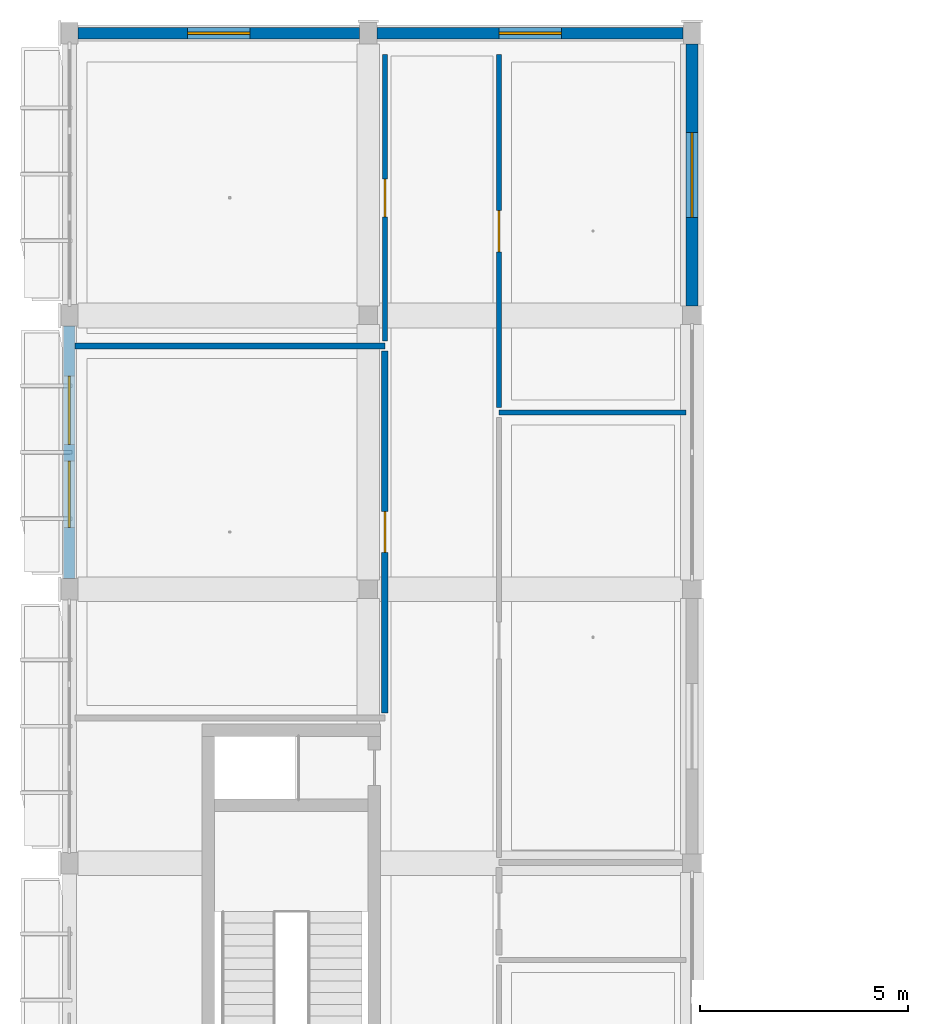
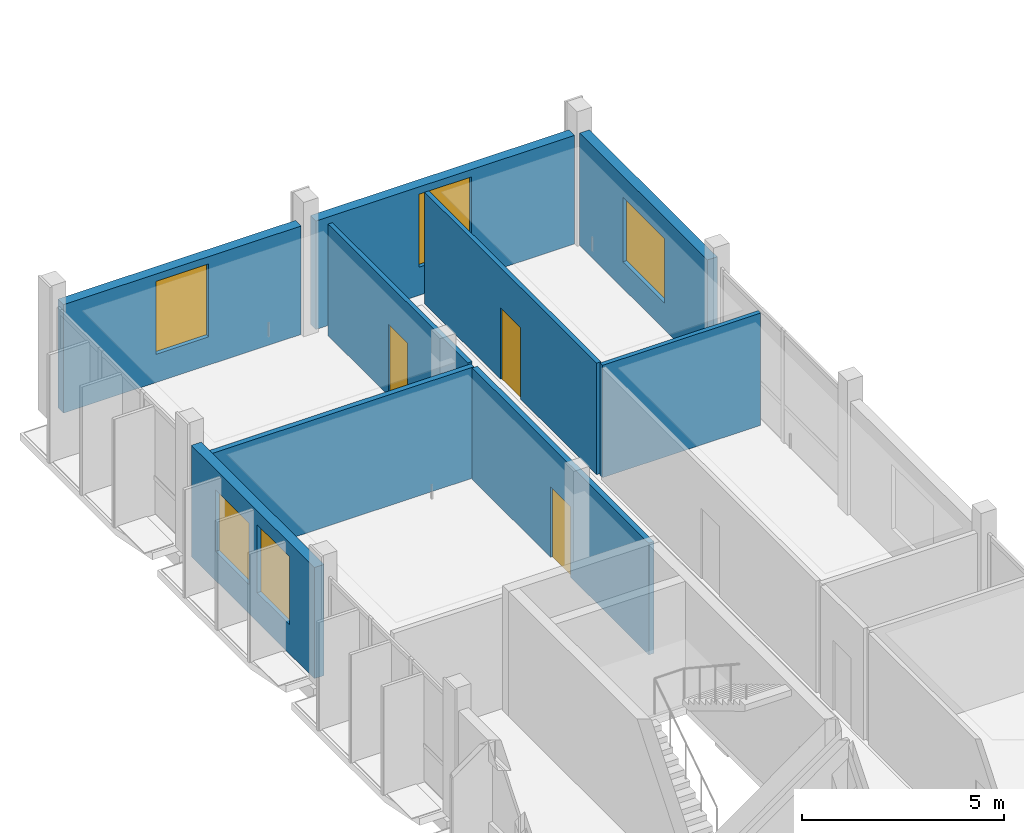
# One storey, part 25 of 48: 9 walls, 5 windows, 3 doors, 8 openings.
"""IFC4 building model written with IfcOpenShell, lengths in metres."""

from ifc_helpers import new_model, si_unit, derived_unit, direction, frame, frame_2d, origin, origin_with_axes, place, context, subcontext, project, spatial, rectangle, extrude, material, layer, layer_set, type_object, element, fill, save


model = new_model("IFC4")

# Units and contexts
model_context = context("Model", 3, precision=1e-05, world=origin(), true_north=direction((0.0, 1.0)))
body_context = subcontext(model_context, "Body", "Model", "MODEL_VIEW")
ifc_project = project(units=[si_unit("LENGTHUNIT", "METRE"), si_unit("AREAUNIT", "SQUARE_METRE"), si_unit("VOLUMEUNIT", "CUBIC_METRE"), si_unit("PLANEANGLEUNIT", "RADIAN"), si_unit("MASSUNIT", "GRAM", prefix="KILO"), derived_unit("THERMALTRANSMITTANCEUNIT", [(si_unit("POWERUNIT", "WATT"), 1), (si_unit("LENGTHUNIT", "METRE"), -2), (si_unit("THERMODYNAMICTEMPERATUREUNIT", "KELVIN"), -1)])], contexts=[model_context])

# Site, building, storey
site_placement = place(None, origin())
site = spatial("IfcSite", under=ifc_project, at=site_placement, CompositionType="ELEMENT")
building_placement = place(site_placement, origin())
building = spatial("IfcBuilding", under=site, at=building_placement, Name="Braskholm Square Health Centre", CompositionType="ELEMENT")
storey_placement = place(building_placement, frame((0.0, 0.0, 17.550048828125)))
storey = spatial("IfcBuildingStorey", under=building, at=storey_placement, Name="L05", CompositionType="ELEMENT", Elevation=17.550048828125)

# Wall, opening, door
ifc_material_1 = material(Name="Acoustic gypsum board partition")
ifc_layer_1 = layer(ifc_material_1, 0.125)
ifc_layer_set_1 = layer_set([ifc_layer_1], Name="Acoustic gypsum board partition")
wall_type_1 = type_object("IfcWallType", Name="ClinicalExamPartition125", PredefinedType="PARTITIONING", material=ifc_layer_set_1)
wall_1_placement = place(storey_placement, frame((11.800048828125, 106.3798828125, 0.0), z_axis=(0.0, 0.0, 1.0), x_axis=(0.0, 1.0, 0.0)))
wall_1 = element("IfcWall", 1, at=wall_1_placement, inside=storey, type_object=wall_type_1, Name="Interior partition PWALL-L05-0226", PredefinedType="PARTITIONING", context=body_context, shape_type="SweptSolid", body=[
    extrude(rectangle(XDim=6.900146484375, YDim=0.125, at=frame_2d((3.4501953125, 0.0))), origin(), (0.0, 0.0, 1.0), 3.364990234375),
])
opening_1_placement = place(wall_1_placement, frame((2.989990234375, 0.0, 0.0)))
opening_1 = element("IfcOpeningElement", 2, at=opening_1_placement, cuts=wall_1, Name="Opening D-01", PredefinedType="OPENING", context=body_context, shape_type="SweptSolid", body=[
    extrude(rectangle(XDim=0.919921875, YDim=2.14990234375, at=frame_2d((0.4599609375, 1.074951171875))), frame((0.0, 0.072509765625, 0.0), z_axis=(0.0, -1.0, 0.0), x_axis=(1.0, 0.0, 0.0)), (0.0, 0.0, 1.0), 0.14501953125),
])
ifc_material_2 = material(Name="Architectural bronze anodised aluminium", Category="aluminium")
door_type_1 = type_object("IfcDoorType", Name="DoorConsultSingle920x2150", OperationType="NOTDEFINED", PredefinedType="DOOR", material=ifc_material_2)
door_1_placement = place(opening_1_placement, origin_with_axes())
door_1 = element("IfcDoor", 3, at=door_1_placement, inside=storey, type_object=door_type_1, Name="Interior door 0104 L05", OperationType="SINGLE_SWING_RIGHT", OverallHeight=2.14990234375, OverallWidth=0.919921875, PredefinedType="DOOR", context=body_context, shape_type="SweptSolid", body=[
    extrude(rectangle(XDim=0.919921875, YDim=2.14990234375, at=frame_2d((0.4599609375, 1.074951171875))), frame((0.0, 0.02490234375, 0.0), z_axis=(0.0, -1.0, 0.0), x_axis=(1.0, 0.0, 0.0)), (0.0, 0.0, 1.0), 0.050048828125),
])
fill(opening_1, door_1)

# Wall
wall_2_placement = place(storey_placement, frame((14.550048828125, 104.659912109375, 0.0), z_axis=(0.0, 0.0, 1.0), x_axis=(1.0, 0.0, 0.0)))
element("IfcWall", 4, at=wall_2_placement, inside=storey, type_object=wall_type_1, Name="Interior partition PWALL-L05-0242", PredefinedType="PARTITIONING", context=body_context, shape_type="SweptSolid", body=[
    extrude(rectangle(XDim=4.510009765625, YDim=0.125, at=frame_2d((2.2548828125, 0.0))), origin(), (0.0, 0.0, 1.0), 3.385009765625),
])

# Wall, opening, door
wall_3_placement = place(storey_placement, frame((14.550048828125, 104.780029296875, 0.0), z_axis=(0.0, 0.0, 1.0), x_axis=(0.0, 1.0, 0.0)))
wall_3 = element("IfcWall", 5, at=wall_3_placement, inside=storey, type_object=wall_type_1, Name="Interior partition PWALL-L05-0243", PredefinedType="PARTITIONING", context=body_context, shape_type="SweptSolid", body=[
    extrude(rectangle(XDim=8.5, YDim=0.125, at=frame_2d((4.25, 0.0))), origin(), (0.0, 0.0, 1.0), 3.364990234375),
])
opening_2_placement = place(wall_3_placement, frame((3.75, 0.0, 0.0)))
opening_2 = element("IfcOpeningElement", 6, at=opening_2_placement, cuts=wall_3, Name="Opening D-02", PredefinedType="OPENING", context=body_context, shape_type="SweptSolid", body=[
    extrude(rectangle(XDim=1.0, YDim=2.14990234375, at=frame_2d((0.5, 1.074951171875))), frame((0.0, 0.072509765625, 0.0), z_axis=(0.0, -1.0, 0.0), x_axis=(1.0, 0.0, 0.0)), (0.0, 0.0, 1.0), 0.14501953125),
])
door_type_2 = type_object("IfcDoorType", Name="DoorExamSingle1000x2150", OperationType="NOTDEFINED", PredefinedType="DOOR", material=ifc_material_2)
door_2_placement = place(opening_2_placement, frame((1.0, 0.0, 0.0), z_axis=(0.0, 0.0, 1.0), x_axis=(-1.0, 0.0, 0.0)))
door_2 = element("IfcDoor", 7, at=door_2_placement, inside=storey, type_object=door_type_2, Name="Interior door 0112 L05", OperationType="SINGLE_SWING_RIGHT", OverallHeight=2.14990234375, OverallWidth=1.0, PredefinedType="DOOR", context=body_context, shape_type="SweptSolid", body=[
    extrude(rectangle(XDim=1.0, YDim=2.14990234375, at=frame_2d((0.5, 1.074951171875))), frame((0.0, 0.02490234375, 0.0), z_axis=(0.0, -1.0, 0.0), x_axis=(1.0, 0.0, 0.0)), (0.0, 0.0, 1.0), 0.050048828125),
])
fill(opening_2, door_2)

ifc_layer_2 = layer(ifc_material_1, 0.14990234375)
ifc_layer_set_2 = layer_set([ifc_layer_2], Name="Acoustic gypsum board partition")
wall_type_2 = type_object("IfcWallType", Name="CorridorAcousticPartition150", PredefinedType="PARTITIONING", material=ifc_layer_set_2)
wall_4_placement = place(storey_placement, frame((11.800048828125, 97.419921875, 0.0), z_axis=(0.0, 0.0, 1.0), x_axis=(0.0, 1.0, 0.0)))
wall_4 = element("IfcWall", 8, at=wall_4_placement, inside=storey, type_object=wall_type_2, Name="Interior partition PWALL-L05-0223", PredefinedType="PARTITIONING", context=body_context, shape_type="SweptSolid", body=[
    extrude(rectangle(XDim=8.719970703125, YDim=0.14990234375, at=frame_2d((4.35986328125, 0.0))), origin(), (0.0, 0.0, 1.0), 3.364990234375),
])
opening_3_placement = place(wall_4_placement, frame((3.8701171875, 0.0, 0.0)))
opening_3 = element("IfcOpeningElement", 9, at=opening_3_placement, cuts=wall_4, Name="Opening D-10", PredefinedType="OPENING", context=body_context, shape_type="SweptSolid", body=[
    extrude(rectangle(XDim=0.97998046875, YDim=2.1201171875, at=frame_2d((0.489990234375, 1.06005859375))), frame((0.0, 0.0849609375, 0.0), z_axis=(0.0, -1.0, 0.0), x_axis=(1.0, 0.0, 0.0)), (0.0, 0.0, 1.0), 0.169921875),
])
door_type_3 = type_object("IfcDoorType", Name="DoorUtilityStore980x2120", OperationType="NOTDEFINED", PredefinedType="DOOR", material=ifc_material_2)
door_3_placement = place(opening_3_placement, origin_with_axes())
door_3 = element("IfcDoor", 10, at=door_3_placement, inside=storey, type_object=door_type_3, Name="Interior door 0103 L05", OperationType="SINGLE_SWING_LEFT", OverallHeight=2.1201171875, OverallWidth=0.97998046875, PredefinedType="DOOR", context=body_context, shape_type="SweptSolid", body=[
    extrude(rectangle(XDim=0.97998046875, YDim=2.1201171875, at=frame_2d((0.489990234375, 1.06005859375))), frame((0.0, 0.02490234375, 0.0), z_axis=(0.0, -1.0, 0.0), x_axis=(1.0, 0.0, 0.0)), (0.0, 0.0, 1.0), 0.050048828125),
])
fill(opening_3, door_3)

# Wall
wall_5_placement = place(storey_placement, frame((4.340087890625, 106.260009765625, 0.0), z_axis=(0.0, 0.0, 1.0), x_axis=(1.0, 0.0, 0.0)))
element("IfcWall", 11, at=wall_5_placement, inside=storey, type_object=wall_type_2, Name="Interior partition PWALL-L05-0224", PredefinedType="PARTITIONING", context=body_context, shape_type="SweptSolid", body=[
    extrude(rectangle(XDim=7.4599609375, YDim=0.14990234375, at=frame_2d((3.72998046875, 0.0))), origin(), (0.0, 0.0, 1.0), 3.344970703125),
])

# Wall, openings, windows
ifc_material_3 = material(Name="Precast concrete C40/50 architectural white", Category="concrete")
ifc_layer_3 = layer(ifc_material_3, 0.280029296875)
ifc_layer_set_3 = layer_set([ifc_layer_3], Name="Precast concrete C40/50 architectural white")
wall_type_3 = type_object("IfcWallType", Name="ExteriorPrecastSpandrelWall280", PredefinedType="SOLIDWALL", material=ifc_layer_set_3)
wall_6_placement = place(storey_placement, frame((4.199951171875, 106.738037109375, 0.0), z_axis=(0.0, 0.0, 1.0), x_axis=(0.0, -1.0, 0.0)))
wall_6 = element("IfcWall", 12, at=wall_6_placement, inside=storey, type_object=wall_type_3, Name="Exterior wall EWALL-L05-0043", PredefinedType="SOLIDWALL", context=body_context, shape_type="SweptSolid", body=[
    extrude(rectangle(XDim=6.075927734375, YDim=0.280029296875, at=frame_2d((3.0380859375, 0.0))), origin(), (0.0, 0.0, 1.0), 3.349853515625),
])
opening_4_placement = place(wall_6_placement, frame((1.199951171875, 0.0, 0.8798828125)))
opening_4 = element("IfcOpeningElement", 13, at=opening_4_placement, cuts=wall_6, Name="Opening WN-10", PredefinedType="OPENING", context=body_context, shape_type="SweptSolid", body=[
    extrude(rectangle(XDim=1.64990234375, YDim=1.85009765625, at=frame_2d((0.824951171875, 0.925048828125))), frame((0.0, 0.14990234375, 0.0), z_axis=(0.0, -1.0, 0.0), x_axis=(1.0, 0.0, 0.0)), (0.0, 0.0, 1.0), 0.300048828125),
])
opening_5_placement = place(wall_6_placement, frame((3.2509765625, 0.0, 0.8798828125)))
opening_5 = element("IfcOpeningElement", 14, at=opening_5_placement, cuts=wall_6, Name="Opening WN-15", PredefinedType="OPENING", context=body_context, shape_type="SweptSolid", body=[
    extrude(rectangle(XDim=1.60009765625, YDim=2.050048828125, at=frame_2d((0.800048828125, 1.02490234375))), frame((0.0, 0.14990234375, 0.0), z_axis=(0.0, -1.0, 0.0), x_axis=(1.0, 0.0, 0.0)), (0.0, 0.0, 1.0), 0.300048828125),
])
ifc_material_4 = material(Name="Low-E triple insulating glass (VLT 0.64)", Category="glass")
window_type_1 = type_object("IfcWindowType", Name="WinClinicalBay1650x1850", PartitioningType="SINGLE_PANEL", PredefinedType="WINDOW", material=ifc_material_4)
window_1_placement = place(opening_4_placement, origin_with_axes())
window_1 = element("IfcWindow", 15, at=window_1_placement, inside=storey, type_object=window_type_1, Name="Exterior window 0081 L05", OverallHeight=1.85009765625, OverallWidth=1.64990234375, PartitioningType="SINGLE_PANEL", PredefinedType="WINDOW", context=body_context, shape_type="SweptSolid", body=[
    extrude(rectangle(XDim=1.64990234375, YDim=1.85009765625, at=frame_2d((0.824951171875, 0.925048828125))), frame((0.0, 0.030029296875, 0.0), z_axis=(0.0, -1.0, 0.0), x_axis=(1.0, 0.0, 0.0)), (0.0, 0.0, 1.0), 0.06005859375),
])
fill(opening_4, window_1)
window_type_2 = type_object("IfcWindowType", Name="WinClinicalTall1600x2050", PartitioningType="SINGLE_PANEL", PredefinedType="WINDOW", material=ifc_material_4)
window_2_placement = place(opening_5_placement, origin_with_axes())
window_2 = element("IfcWindow", 16, at=window_2_placement, inside=storey, type_object=window_type_2, Name="Exterior window 0082 L05", OverallHeight=2.050048828125, OverallWidth=1.60009765625, PartitioningType="SINGLE_PANEL", PredefinedType="WINDOW", context=body_context, shape_type="SweptSolid", body=[
    extrude(rectangle(XDim=1.60009765625, YDim=2.050048828125, at=frame_2d((0.800048828125, 1.02490234375))), frame((0.0, 0.030029296875, 0.0), z_axis=(0.0, -1.0, 0.0), x_axis=(1.0, 0.0, 0.0)), (0.0, 0.0, 1.0), 0.06005859375),
])
fill(opening_5, window_2)

# Wall, opening, window
wall_7_placement = place(storey_placement, frame((19.199951171875, 107.22705078125, 0.0), z_axis=(0.0, 0.0, 1.0), x_axis=(0.0, 1.0, 0.0)))
wall_7 = element("IfcWall", 17, at=wall_7_placement, inside=storey, type_object=wall_type_3, Name="Exterior wall EWALL-L05-0148", PredefinedType="SOLIDWALL", context=body_context, shape_type="SweptSolid", body=[
    extrude(rectangle(XDim=6.31103515625, YDim=0.280029296875, at=frame_2d((3.155517578125, 0.0))), origin(), (0.0, 0.0, 1.0), 3.389892578125),
])
opening_6_placement = place(wall_7_placement, frame((2.1298828125, 0.0, 0.800048828125)))
opening_6 = element("IfcOpeningElement", 18, at=opening_6_placement, cuts=wall_7, Name="Opening WN-25", PredefinedType="OPENING", context=body_context, shape_type="SweptSolid", body=[
    extrude(rectangle(XDim=2.050048828125, YDim=1.949951171875, at=frame_2d((1.02490234375, 0.97509765625))), frame((0.0, 0.14990234375, 0.0), z_axis=(0.0, -1.0, 0.0), x_axis=(1.0, 0.0, 0.0)), (0.0, 0.0, 1.0), 0.300048828125),
])
window_type_3 = type_object("IfcWindowType", Name="WinValleyTerrace2050x1950", PartitioningType="SINGLE_PANEL", PredefinedType="WINDOW", material=ifc_material_4)
window_3_placement = place(opening_6_placement, origin_with_axes())
window_3 = element("IfcWindow", 19, at=window_3_placement, inside=storey, type_object=window_type_3, Name="Exterior window 0207 L05", OverallHeight=1.949951171875, OverallWidth=2.050048828125, PartitioningType="SINGLE_PANEL", PredefinedType="WINDOW", context=body_context, shape_type="SweptSolid", body=[
    extrude(rectangle(XDim=2.050048828125, YDim=1.949951171875, at=frame_2d((1.02490234375, 0.97509765625))), frame((0.0, 0.030029296875, 0.0), z_axis=(0.0, -1.0, 0.0), x_axis=(1.0, 0.0, 0.0)), (0.0, 0.0, 1.0), 0.06005859375),
])
fill(opening_6, window_3)

wall_8_placement = place(storey_placement, frame((18.988037109375, 113.800048828125, 0.0), z_axis=(0.0, 0.0, 1.0), x_axis=(-1.0, 0.0, 0.0)))
wall_8 = element("IfcWall", 20, at=wall_8_placement, inside=storey, type_object=wall_type_3, Name="Exterior wall EWALL-L05-0237", PredefinedType="SOLIDWALL", context=body_context, shape_type="SweptSolid", body=[
    extrude(rectangle(XDim=7.3759765625, YDim=0.280029296875, at=frame_2d((3.68798828125, 0.0))), origin(), (0.0, 0.0, 1.0), 3.27001953125),
])
opening_7_placement = place(wall_8_placement, frame((2.93798828125, 0.0, 0.85009765625)))
opening_7 = element("IfcOpeningElement", 21, at=opening_7_placement, cuts=wall_8, Name="Opening WN-03", PredefinedType="OPENING", context=body_context, shape_type="SweptSolid", body=[
    extrude(rectangle(XDim=1.5, YDim=2.199951171875, at=frame_2d((0.75, 1.10009765625))), frame((0.0, 0.14990234375, 0.0), z_axis=(0.0, -1.0, 0.0), x_axis=(1.0, 0.0, 0.0)), (0.0, 0.0, 1.0), 0.300048828125),
])
window_type_4 = type_object("IfcWindowType", Name="WinArtDecoTwin1500x2200", PartitioningType="SINGLE_PANEL", PredefinedType="WINDOW", material=ifc_material_4)
window_4_placement = place(opening_7_placement, origin_with_axes())
window_4 = element("IfcWindow", 22, at=window_4_placement, inside=storey, type_object=window_type_4, Name="Exterior window 0290 L05", OverallHeight=2.199951171875, OverallWidth=1.5, PartitioningType="SINGLE_PANEL", PredefinedType="WINDOW", context=body_context, shape_type="SweptSolid", body=[
    extrude(rectangle(XDim=1.5, YDim=2.199951171875, at=frame_2d((0.75, 1.10009765625))), frame((0.0, 0.030029296875, 0.0), z_axis=(0.0, -1.0, 0.0), x_axis=(1.0, 0.0, 0.0)), (0.0, 0.0, 1.0), 0.06005859375),
])
fill(opening_7, window_4)

wall_9_placement = place(storey_placement, frame((11.18798828125, 113.800048828125, 0.0), z_axis=(0.0, 0.0, 1.0), x_axis=(-1.0, 0.0, 0.0)))
wall_9 = element("IfcWall", 23, at=wall_9_placement, inside=storey, type_object=wall_type_3, Name="Exterior wall EWALL-L05-0238", PredefinedType="SOLIDWALL", context=body_context, shape_type="SweptSolid", body=[
    extrude(rectangle(XDim=6.77587890625, YDim=0.280029296875, at=frame_2d((3.387939453125, 0.0))), origin(), (0.0, 0.0, 1.0), 3.27001953125),
])
opening_8_placement = place(wall_9_placement, frame((2.637939453125, 0.0, 0.85009765625)))
opening_8 = element("IfcOpeningElement", 24, at=opening_8_placement, cuts=wall_9, Name="Opening WN-03", PredefinedType="OPENING", context=body_context, shape_type="SweptSolid", body=[
    extrude(rectangle(XDim=1.5, YDim=2.199951171875, at=frame_2d((0.75, 1.10009765625))), frame((0.0, 0.14990234375, 0.0), z_axis=(0.0, -1.0, 0.0), x_axis=(1.0, 0.0, 0.0)), (0.0, 0.0, 1.0), 0.300048828125),
])
window_5_placement = place(opening_8_placement, origin_with_axes())
window_5 = element("IfcWindow", 25, at=window_5_placement, inside=storey, type_object=window_type_4, Name="Exterior window 0291 L05", OverallHeight=2.199951171875, OverallWidth=1.5, PartitioningType="SINGLE_PANEL", PredefinedType="WINDOW", context=body_context, shape_type="SweptSolid", body=[
    extrude(rectangle(XDim=1.5, YDim=2.199951171875, at=frame_2d((0.75, 1.10009765625))), frame((0.0, 0.030029296875, 0.0), z_axis=(0.0, -1.0, 0.0), x_axis=(1.0, 0.0, 0.0)), (0.0, 0.0, 1.0), 0.06005859375),
])
fill(opening_8, window_5)

save(model, "model.ifc")
